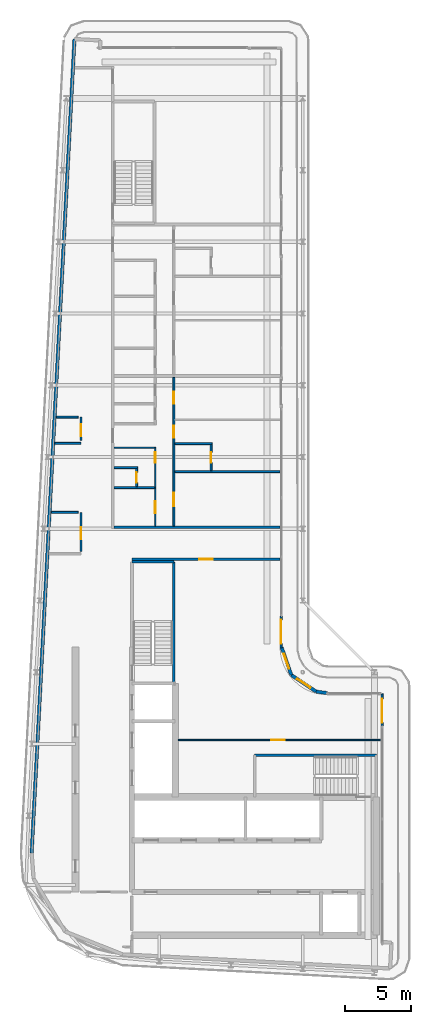
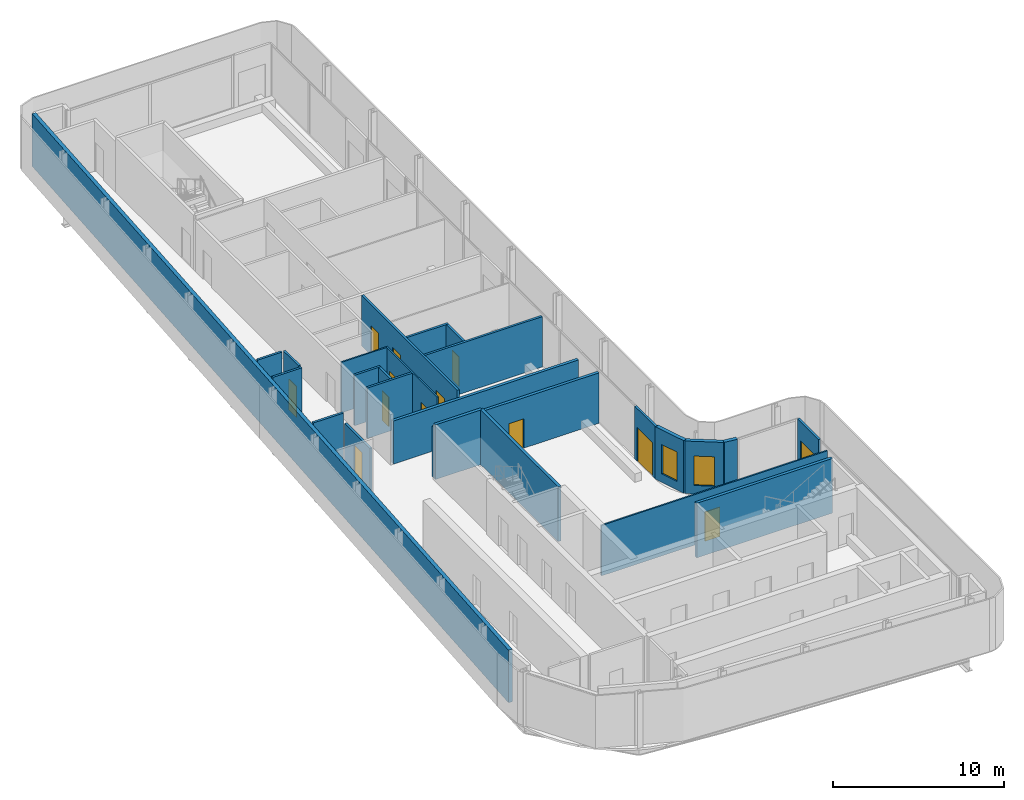
# One storey, part 10 of 19: 26 walls, 13 doors, 2 windows, 15 openings.
"""IFC4 building model written with IfcOpenShell, lengths in metres."""

from ifc_helpers import new_model, si_unit, direction, frame, frame_2d, origin, place, context, subcontext, project, spatial, rectangle, extrude, source, transform, mapped, material, layer, layer_set, type_object, element, fill, save


model = new_model("IFC4")

# Units and contexts
model_context = context("Model", 3, precision=1e-05, world=origin(), true_north=direction((0.0, 1.0)))
body_context = subcontext(model_context, "Body", "Model", "MODEL_VIEW")
ifc_project = project(units=[si_unit("LENGTHUNIT", "METRE"), si_unit("AREAUNIT", "SQUARE_METRE"), si_unit("VOLUMEUNIT", "CUBIC_METRE"), si_unit("PLANEANGLEUNIT", "RADIAN"), si_unit("MASSUNIT", "GRAM", prefix="KILO")], contexts=[model_context])

# Site, building, storey
site_placement = place(None, origin())
site = spatial("IfcSite", under=ifc_project, at=site_placement, CompositionType="ELEMENT")
building_placement = place(site_placement, origin())
building = spatial("IfcBuilding", under=site, at=building_placement, Name="Kheshtan School and Residences Tower", CompositionType="ELEMENT")
storey_placement = place(building_placement, frame((0.0, 0.0, 350.0)))
storey = spatial("IfcBuildingStorey", under=building, at=storey_placement, Name="L82", CompositionType="ELEMENT", Elevation=350.0)

# Wall
ifc_material_1 = material(Name="Gypsum board on steel studs with fire boards", Category="steel")
ifc_layer_1 = layer(ifc_material_1, 0.199951171875)
ifc_layer_set_1 = layer_set([ifc_layer_1], Name="Corridor wall 200")
wall_type_1 = type_object("IfcWallType", Name="Corridor wall 200", PredefinedType="PARTITIONING", material=ifc_layer_set_1)
wall_1_placement = place(storey_placement, frame((33.39990234375, 56.5, 0.0), z_axis=(0.0, 0.0, 1.0), x_axis=(1.0, 0.0, 0.0)))
element("IfcWall", 1, at=wall_1_placement, inside=storey, type_object=wall_type_1, Name="Partition L82-005", PredefinedType="PARTITIONING", context=body_context, shape_type="SweptSolid", body=[
    extrude(rectangle(XDim=12.5, YDim=0.199951171875, at=frame_2d((6.25, 0.0))), origin(), (0.0, 0.0, 1.0), 3.072021484375),
])

# Wall, opening, door
wall_2_placement = place(storey_placement, frame((34.75, 54.10009765625, 0.0), z_axis=(0.0, 0.0, 1.0), x_axis=(1.0, 0.0, 0.0)))
wall_2 = element("IfcWall", 2, at=wall_2_placement, inside=storey, type_object=wall_type_1, Name="Partition L82-017", PredefinedType="PARTITIONING", context=body_context, shape_type="SweptSolid", body=[
    extrude(rectangle(XDim=11.14990234375, YDim=0.199951171875, at=frame_2d((5.574951171875, 0.0))), origin(), (0.0, 0.0, 1.0), 3.60009765625),
])
opening_1_placement = place(wall_2_placement, frame((5.074951171875, 0.0, 0.0)))
opening_1 = element("IfcOpeningElement", 3, at=opening_1_placement, cuts=wall_2, Name="Opening D81-503", PredefinedType="OPENING", context=body_context, shape_type="SweptSolid", body=[
    extrude(rectangle(XDim=1.0, YDim=2.10009765625, at=frame_2d((0.5, 1.050048828125))), frame((0.0, 0.10986328125, 0.0), z_axis=(0.0, -1.0, 0.0), x_axis=(1.0, 0.0, 0.0)), (0.0, 0.0, 1.0), 0.219970703125),
])
ifc_material_2 = material(Name="Steel-framed fire-resisting door leaf", Category="steel")
door_type_1 = type_object("IfcDoorType", Name="Fire door FD60 1000 x 2100", OperationType="SINGLE_SWING_LEFT", PredefinedType="DOOR", material=ifc_material_2)
shared_shape_1 = source(origin(), body_context, "Body", "SweptSolid", [
    extrude(rectangle(XDim=1.0, YDim=2.10009765625, at=frame_2d((0.5, 1.050048828125))), frame((0.0, 0.02490234375, 0.0), z_axis=(0.0, -1.0, 0.0), x_axis=(1.0, 0.0, 0.0)), (0.0, 0.0, 1.0), 0.050048828125),
])
door_1_placement = place(opening_1_placement, origin())
door_1 = element("IfcDoor", 4, at=door_1_placement, inside=storey, type_object=door_type_1, Name="Door D81-503", OperationType="SINGLE_SWING_RIGHT", OverallHeight=2.10009765625, OverallWidth=1.0, PredefinedType="DOOR", context=body_context, shape_type="MappedRepresentation", body=[
    mapped(shared_shape_1, transform((0.0, 0.0, 0.0), x_axis=(1.0, 0.0, 0.0), y_axis=(0.0, 1.0, 0.0), z_axis=(0.0, 0.0, 1.0), scale=1.0)),
])
fill(opening_1, door_1)

# Wall, opening, window
ifc_material_3 = material(Name="Concrete C40/50 with ceramic cladding and mineral wool insulation", Category="concrete")
ifc_layer_2 = layer(ifc_material_3, 0.25)
ifc_layer_set_2 = layer_set([ifc_layer_2], Name="External wall 250 ceramic clad")
wall_type_2 = type_object("IfcWallType", Name="External wall 250 ceramic clad", PredefinedType="SOLIDWALL", material=ifc_layer_set_2)
wall_3_placement = place(storey_placement, frame((46.01806640625, 47.470947265625, 0.0), z_axis=(0.0, 0.0, 1.0), x_axis=(0.328791208903, -0.944402637093, 0.0)))
wall_3 = element("IfcWall", 5, at=wall_3_placement, inside=storey, type_object=wall_type_2, Name="External wall L82 5", PredefinedType="SOLIDWALL", context=body_context, shape_type="SweptSolid", body=[
    extrude(rectangle(XDim=2.20458984375, YDim=0.25, at=frame_2d((1.102294921875, 0.0))), origin(), (0.0, 0.0, 1.0), 3.75),
])
opening_2_placement = place(wall_3_placement, frame((0.5029296875, 0.0, 0.60009765625)))
opening_2 = element("IfcOpeningElement", 6, at=opening_2_placement, cuts=wall_3, Name="Opening WN-E", PredefinedType="OPENING", context=body_context, shape_type="SweptSolid", body=[
    extrude(rectangle(XDim=1.199951171875, YDim=2.10009765625, at=frame_2d((0.60009765625, 1.050048828125))), frame((0.0, 0.135009765625, 0.0), z_axis=(0.0, -1.0, 0.0), x_axis=(1.0, 0.0, 0.0)), (0.0, 0.0, 1.0), 0.27001953125),
])
ifc_material_4 = material(Name="Clear low-e glass in thermally broken aluminium frame", Category="aluminium")
window_type = type_object("IfcWindowType", Name="Window WN-E", PartitioningType="SINGLE_PANEL", PredefinedType="WINDOW", material=ifc_material_4)
shared_shape_2 = source(origin(), body_context, "Body", "SweptSolid", [
    extrude(rectangle(XDim=1.199951171875, YDim=2.10009765625, at=frame_2d((0.60009765625, 1.050048828125))), frame((0.0, 0.030029296875, 0.0), z_axis=(0.0, -1.0, 0.0), x_axis=(1.0, 0.0, 0.0)), (0.0, 0.0, 1.0), 0.06005859375),
])
window_1_placement = place(opening_2_placement, origin())
window_1 = element("IfcWindow", 7, at=window_1_placement, inside=storey, type_object=window_type, Name="Window L82 5", OverallHeight=2.10009765625, OverallWidth=1.199951171875, PartitioningType="SINGLE_PANEL", PredefinedType="WINDOW", context=body_context, shape_type="MappedRepresentation", body=[
    mapped(shared_shape_2, transform((0.0, 0.0, 0.0), x_axis=(1.0, 0.0, 0.0), y_axis=(0.0, 1.0, 0.0), z_axis=(0.0, 0.0, 1.0), scale=1.0)),
])
fill(opening_2, window_1)

wall_4_placement = place(storey_placement, frame((46.742919921875, 45.388916015625, 0.0), z_axis=(0.0, 0.0, 1.0), x_axis=(0.831449265529, -0.555600682912, 0.0)))
wall_4 = element("IfcWall", 8, at=wall_4_placement, inside=storey, type_object=wall_type_2, Name="External wall L82 6", PredefinedType="SOLIDWALL", context=body_context, shape_type="SweptSolid", body=[
    extrude(rectangle(XDim=2.25146484375, YDim=0.25, at=frame_2d((1.125732421875, 0.0))), origin(), (0.0, 0.0, 1.0), 3.75),
])
opening_3_placement = place(wall_4_placement, frame((0.52490234375, 0.0, 0.60009765625)))
opening_3 = element("IfcOpeningElement", 9, at=opening_3_placement, cuts=wall_4, Name="Opening WN-E", PredefinedType="OPENING", context=body_context, shape_type="SweptSolid", body=[
    extrude(rectangle(XDim=1.199951171875, YDim=2.10009765625, at=frame_2d((0.60009765625, 1.050048828125))), frame((0.0, 0.135009765625, 0.0), z_axis=(0.0, -1.0, 0.0), x_axis=(1.0, 0.0, 0.0)), (0.0, 0.0, 1.0), 0.27001953125),
])
window_2_placement = place(opening_3_placement, origin())
window_2 = element("IfcWindow", 10, at=window_2_placement, inside=storey, type_object=window_type, Name="Window L82 6", OverallHeight=2.10009765625, OverallWidth=1.199951171875, PartitioningType="SINGLE_PANEL", PredefinedType="WINDOW", context=body_context, shape_type="MappedRepresentation", body=[
    mapped(shared_shape_2, transform((0.0, 0.0, 0.0), x_axis=(1.0, 0.0, 0.0), y_axis=(0.0, 1.0, 0.0), z_axis=(0.0, 0.0, 1.0), scale=1.0)),
])
fill(opening_3, window_2)

# Walls
wall_5_placement = place(storey_placement, frame((48.614990234375, 44.137939453125, 0.0), z_axis=(0.0, 0.0, 1.0), x_axis=(0.990741504246, -0.135761819977, 0.0)))
element("IfcWall", 11, at=wall_5_placement, inside=storey, type_object=wall_type_2, Name="External wall L82 7", PredefinedType="SOLIDWALL", context=body_context, shape_type="SweptSolid", body=[
    extrude(rectangle(XDim=0.83984375, YDim=0.25, at=frame_2d((0.419921875, 0.0))), origin(), (0.0, 0.0, 1.0), 3.75),
])
wall_6_placement = place(storey_placement, frame((27.195068359375, 31.968994140625, 0.0), z_axis=(0.0, 0.0, 1.0), x_axis=(0.052555284099, 0.998618016117, 0.0)))
element("IfcWall", 12, at=wall_6_placement, inside=storey, type_object=wall_type_2, Name="External wall L82 16", PredefinedType="SOLIDWALL", context=body_context, shape_type="SweptSolid", body=[
    extrude(rectangle(XDim=61.379638671875, YDim=0.25, at=frame_2d((30.68994140625, 0.0))), origin(), (0.0, 0.0, 1.0), 3.75),
])

# Wall, opening, door
ifc_material_5 = material(Name="Aluminium frame wall with insulated infill", Category="aluminium")
ifc_layer_3 = layer(ifc_material_5, 0.14990234375)
ifc_layer_set_3 = layer_set([ifc_layer_3], Name="Glazing frame wall 150")
wall_type_3 = type_object("IfcWallType", Name="Glazing frame wall 150", PredefinedType="SOLIDWALL", material=ifc_layer_set_3)
wall_7_placement = place(storey_placement, frame((45.97509765625, 49.830078125, 0.0), z_axis=(0.0, 0.0, 1.0), x_axis=(0.0, -1.0, 0.0)))
wall_7 = element("IfcWall", 13, at=wall_7_placement, inside=storey, type_object=wall_type_3, Name="Balcony door wall L82 4.4", PredefinedType="SOLIDWALL", context=body_context, shape_type="SweptSolid", body=[
    extrude(rectangle(XDim=2.400146484375, YDim=0.14990234375, at=frame_2d((1.2001953125, 0.0))), origin(), (0.0, 0.0, 1.0), 3.75),
])
opening_4_placement = place(wall_7_placement, frame((0.300048828125, 0.0, 0.0)))
opening_4 = element("IfcOpeningElement", 14, at=opening_4_placement, cuts=wall_7, Name="Opening BD", PredefinedType="OPENING", context=body_context, shape_type="SweptSolid", body=[
    extrude(rectangle(XDim=1.800048828125, YDim=2.39990234375, at=frame_2d((0.89990234375, 1.199951171875))), frame((0.0, 0.0849609375, 0.0), z_axis=(0.0, -1.0, 0.0), x_axis=(1.0, 0.0, 0.0)), (0.0, 0.0, 1.0), 0.169921875),
])
door_type_2 = type_object("IfcDoorType", Name="Balcony sliding door", OperationType="SLIDING_TO_LEFT", PredefinedType="DOOR", material=ifc_material_4)
shared_shape_3 = source(origin(), body_context, "Body", "SweptSolid", [
    extrude(rectangle(XDim=1.800048828125, YDim=2.39990234375, at=frame_2d((0.89990234375, 1.199951171875))), frame((0.0, 0.02490234375, 0.0), z_axis=(0.0, -1.0, 0.0), x_axis=(1.0, 0.0, 0.0)), (0.0, 0.0, 1.0), 0.050048828125),
])
door_2_placement = place(opening_4_placement, origin())
door_2 = element("IfcDoor", 15, at=door_2_placement, inside=storey, type_object=door_type_2, Name="Balcony door L82 4.4", OperationType="SLIDING_TO_LEFT", OverallHeight=2.39990234375, OverallWidth=1.800048828125, PredefinedType="DOOR", context=body_context, shape_type="MappedRepresentation", body=[
    mapped(shared_shape_3, transform((0.0, 0.0, 0.0), x_axis=(1.0, 0.0, 0.0), y_axis=(0.0, 1.0, 0.0), z_axis=(0.0, 0.0, 1.0), scale=1.0)),
])
fill(opening_4, door_2)

wall_8_placement = place(storey_placement, frame((53.574951171875, 43.970947265625, 0.0), z_axis=(0.0, 0.0, 1.0), x_axis=(0.0, -1.0, 0.0)))
wall_8 = element("IfcWall", 16, at=wall_8_placement, inside=storey, type_object=wall_type_3, Name="Balcony door wall L82 9.1", PredefinedType="SOLIDWALL", context=body_context, shape_type="SweptSolid", body=[
    extrude(rectangle(XDim=2.470947265625, YDim=0.14990234375, at=frame_2d((1.2353515625, 0.0))), origin(), (0.0, 0.0, 1.0), 3.75),
])
opening_5_placement = place(wall_8_placement, frame((0.37109375, 0.0, 0.0)))
opening_5 = element("IfcOpeningElement", 17, at=opening_5_placement, cuts=wall_8, Name="Opening BD", PredefinedType="OPENING", context=body_context, shape_type="SweptSolid", body=[
    extrude(rectangle(XDim=1.800048828125, YDim=2.39990234375, at=frame_2d((0.89990234375, 1.199951171875))), frame((0.0, 0.0849609375, 0.0), z_axis=(0.0, -1.0, 0.0), x_axis=(1.0, 0.0, 0.0)), (0.0, 0.0, 1.0), 0.169921875),
])
door_3_placement = place(opening_5_placement, origin())
door_3 = element("IfcDoor", 18, at=door_3_placement, inside=storey, type_object=door_type_2, Name="Balcony door L82 9.1", OperationType="SLIDING_TO_LEFT", OverallHeight=2.39990234375, OverallWidth=1.800048828125, PredefinedType="DOOR", context=body_context, shape_type="MappedRepresentation", body=[
    mapped(shared_shape_3, transform((0.0, 0.0, 0.0), x_axis=(1.0, 0.0, 0.0), y_axis=(0.0, 1.0, 0.0), z_axis=(0.0, 0.0, 1.0), scale=1.0)),
])
fill(opening_5, door_3)

# Wall
ifc_material_6 = material(Name="Gypsum board on steel studs", Category="steel")
ifc_layer_4 = layer(ifc_material_6, 0.10009765625)
ifc_layer_set_4 = layer_set([ifc_layer_4], Name="Gypsum partition 100")
wall_type_4 = type_object("IfcWallType", Name="Gypsum partition 100", PredefinedType="PARTITIONING", material=ifc_layer_set_4)
wall_9_placement = place(storey_placement, frame((33.39990234375, 62.5, 0.0), z_axis=(0.0, 0.0, 1.0), x_axis=(1.0, 0.0, 0.0)))
element("IfcWall", 19, at=wall_9_placement, inside=storey, type_object=wall_type_4, Name="Partition L82-008", PredefinedType="PARTITIONING", context=body_context, shape_type="SweptSolid", body=[
    extrude(rectangle(XDim=3.050048828125, YDim=0.10009765625, at=frame_2d((1.52490234375, 0.0))), origin(), (0.0, 0.0, 1.0), 3.60009765625),
])

# Wall, openings, doors
wall_10_placement = place(storey_placement, frame((36.5, 56.60009765625, 0.0), z_axis=(0.0, 0.0, 1.0), x_axis=(0.0, 1.0, 0.0)))
wall_10 = element("IfcWall", 20, at=wall_10_placement, inside=storey, type_object=wall_type_4, Name="Partition L82-019", PredefinedType="PARTITIONING", context=body_context, shape_type="SweptSolid", body=[
    extrude(rectangle(XDim=5.949951171875, YDim=0.10009765625, at=frame_2d((2.97509765625, 0.0))), origin(), (0.0, 0.0, 1.0), 3.60009765625),
])
opening_6_placement = place(wall_10_placement, frame((0.949951171875, 0.0, 0.0)))
opening_6 = element("IfcOpeningElement", 21, at=opening_6_placement, cuts=wall_10, Name="Opening D81-005", PredefinedType="OPENING", context=body_context, shape_type="SweptSolid", body=[
    extrude(rectangle(XDim=0.89990234375, YDim=2.10009765625, at=frame_2d((0.449951171875, 1.050048828125))), frame((0.0, 0.06005859375, 0.0), z_axis=(0.0, -1.0, 0.0), x_axis=(1.0, 0.0, 0.0)), (0.0, 0.0, 1.0), 0.1201171875),
])
opening_7_placement = place(wall_10_placement, frame((4.75, 0.0, 0.0)))
opening_7 = element("IfcOpeningElement", 22, at=opening_7_placement, cuts=wall_10, Name="Opening D81-007", PredefinedType="OPENING", context=body_context, shape_type="SweptSolid", body=[
    extrude(rectangle(XDim=0.800048828125, YDim=2.10009765625, at=frame_2d((0.39990234375, 1.050048828125))), frame((0.0, 0.06005859375, 0.0), z_axis=(0.0, -1.0, 0.0), x_axis=(1.0, 0.0, 0.0)), (0.0, 0.0, 1.0), 0.1201171875),
])
ifc_material_7 = material(Name="Veneered timber door leaf", Category="wood")
door_type_3 = type_object("IfcDoorType", Name="Door 800 x 2100", OperationType="SINGLE_SWING_LEFT", PredefinedType="DOOR", material=ifc_material_7)
shared_shape_4 = source(origin(), body_context, "Body", "SweptSolid", [
    extrude(rectangle(XDim=0.800048828125, YDim=2.10009765625, at=frame_2d((0.39990234375, 1.050048828125))), frame((0.0, 0.02490234375, 0.0), z_axis=(0.0, -1.0, 0.0), x_axis=(1.0, 0.0, 0.0)), (0.0, 0.0, 1.0), 0.050048828125),
])
door_4_placement = place(opening_7_placement, origin())
door_4 = element("IfcDoor", 23, at=door_4_placement, inside=storey, type_object=door_type_3, Name="Door D81-007", OperationType="SINGLE_SWING_RIGHT", OverallHeight=2.10009765625, OverallWidth=0.800048828125, PredefinedType="DOOR", context=body_context, shape_type="MappedRepresentation", body=[
    mapped(shared_shape_4, transform((0.0, 0.0, 0.0), x_axis=(1.0, 0.0, 0.0), y_axis=(0.0, 1.0, 0.0), z_axis=(0.0, 0.0, 1.0), scale=1.0)),
])
fill(opening_7, door_4)
door_type_4 = type_object("IfcDoorType", Name="Door 900 x 2100", OperationType="SINGLE_SWING_LEFT", PredefinedType="DOOR", material=ifc_material_7)
shared_shape_5 = source(origin(), body_context, "Body", "SweptSolid", [
    extrude(rectangle(XDim=0.89990234375, YDim=2.10009765625, at=frame_2d((0.449951171875, 1.050048828125))), frame((0.0, 0.02490234375, 0.0), z_axis=(0.0, -1.0, 0.0), x_axis=(1.0, 0.0, 0.0)), (0.0, 0.0, 1.0), 0.050048828125),
])
door_5_placement = place(opening_6_placement, origin())
door_5 = element("IfcDoor", 24, at=door_5_placement, inside=storey, type_object=door_type_4, Name="Door D81-005", OperationType="SINGLE_SWING_RIGHT", OverallHeight=2.10009765625, OverallWidth=0.89990234375, PredefinedType="DOOR", context=body_context, shape_type="MappedRepresentation", body=[
    mapped(shared_shape_5, transform((0.0, 0.0, 0.0), x_axis=(1.0, 0.0, 0.0), y_axis=(0.0, 1.0, 0.0), z_axis=(0.0, 0.0, 1.0), scale=1.0)),
])
fill(opening_6, door_5)

# Wall, opening, door
wall_11_placement = place(storey_placement, frame((38.2490234375, 40.5, 0.0), z_axis=(0.0, 0.0, 1.0), x_axis=(1.0, 0.0, 0.0)))
wall_11 = element("IfcWall", 25, at=wall_11_placement, inside=storey, type_object=wall_type_4, Name="Partition L82-030", PredefinedType="PARTITIONING", context=body_context, shape_type="SweptSolid", body=[
    extrude(rectangle(XDim=15.2509765625, YDim=0.10009765625, at=frame_2d((7.62548828125, 0.0))), origin(), (0.0, 0.0, 1.0), 3.60009765625),
])
opening_8_placement = place(wall_11_placement, frame((7.0009765625, 0.0, 0.0)))
opening_8 = element("IfcOpeningElement", 26, at=opening_8_placement, cuts=wall_11, Name="Opening D81-501", PredefinedType="OPENING", context=body_context, shape_type="SweptSolid", body=[
    extrude(rectangle(XDim=1.0, YDim=2.10009765625, at=frame_2d((0.5, 1.050048828125))), frame((0.0, 0.06005859375, 0.0), z_axis=(0.0, -1.0, 0.0), x_axis=(1.0, 0.0, 0.0)), (0.0, 0.0, 1.0), 0.1201171875),
])
door_type_5 = type_object("IfcDoorType", Name="Door 1000 x 2100", OperationType="SINGLE_SWING_LEFT", PredefinedType="DOOR", material=ifc_material_7)
shared_shape_6 = source(origin(), body_context, "Body", "SweptSolid", [
    extrude(rectangle(XDim=1.0, YDim=2.10009765625, at=frame_2d((0.5, 1.050048828125))), frame((0.0, 0.02490234375, 0.0), z_axis=(0.0, -1.0, 0.0), x_axis=(1.0, 0.0, 0.0)), (0.0, 0.0, 1.0), 0.050048828125),
])
door_6_placement = place(opening_8_placement, origin())
door_6 = element("IfcDoor", 27, at=door_6_placement, inside=storey, type_object=door_type_5, Name="Door D81-501", OperationType="SINGLE_SWING_LEFT", OverallHeight=2.10009765625, OverallWidth=1.0, PredefinedType="DOOR", context=body_context, shape_type="MappedRepresentation", body=[
    mapped(shared_shape_6, transform((0.0, 0.0, 0.0), x_axis=(1.0, 0.0, 0.0), y_axis=(0.0, 1.0, 0.0), z_axis=(0.0, 0.0, 1.0), scale=1.0)),
])
fill(opening_8, door_6)

ifc_material_8 = material(Name="Fire-board shaft wall system")
ifc_layer_5 = layer(ifc_material_8, 0.14990234375)
ifc_layer_set_5 = layer_set([ifc_layer_5], Name="Service room wall 150")
wall_type_5 = type_object("IfcWallType", Name="Service room wall 150", PredefinedType="PARTITIONING", material=ifc_layer_set_5)
wall_12_placement = place(storey_placement, frame((30.89990234375, 54.695068359375, 0.0), z_axis=(0.0, 0.0, 1.0), x_axis=(0.0, 1.0, 0.0)))
wall_12 = element("IfcWall", 28, at=wall_12_placement, inside=storey, type_object=wall_type_5, Name="Service room wall", PredefinedType="PARTITIONING", context=body_context, shape_type="SweptSolid", body=[
    extrude(rectangle(XDim=2.930908203125, YDim=0.14990234375, at=frame_2d((1.46533203125, 0.0))), origin(), (0.0, 0.0, 1.0), 3.072021484375),
])
opening_9_placement = place(wall_12_placement, frame((0.91796875, 0.0, 0.0)))
opening_9 = element("IfcOpeningElement", 29, at=opening_9_placement, cuts=wall_12, Name="Opening SR90", PredefinedType="OPENING", context=body_context, shape_type="SweptSolid", body=[
    extrude(rectangle(XDim=0.89990234375, YDim=2.199951171875, at=frame_2d((0.449951171875, 1.10009765625))), frame((0.0, 0.0849609375, 0.0), z_axis=(0.0, -1.0, 0.0), x_axis=(1.0, 0.0, 0.0)), (0.0, 0.0, 1.0), 0.169921875),
])
ifc_material_9 = material(Name="Steel door leaf, galvanised", Category="steel")
door_type_6 = type_object("IfcDoorType", Name="Service room door 900 steel 90 min", OperationType="SINGLE_SWING_LEFT", PredefinedType="DOOR", material=ifc_material_9)
shared_shape_7 = source(origin(), body_context, "Body", "SweptSolid", [
    extrude(rectangle(XDim=0.89990234375, YDim=2.199951171875, at=frame_2d((0.449951171875, 1.10009765625))), frame((0.0, 0.02490234375, 0.0), z_axis=(0.0, -1.0, 0.0), x_axis=(1.0, 0.0, 0.0)), (0.0, 0.0, 1.0), 0.050048828125),
])
door_7_placement = place(opening_9_placement, origin())
door_7 = element("IfcDoor", 30, at=door_7_placement, inside=storey, type_object=door_type_6, Name="Service room door", OperationType="SINGLE_SWING_LEFT", OverallHeight=2.199951171875, OverallWidth=0.89990234375, PredefinedType="DOOR", context=body_context, shape_type="MappedRepresentation", body=[
    mapped(shared_shape_7, transform((0.0, 0.0, 0.0), x_axis=(1.0, 0.0, 0.0), y_axis=(0.0, 1.0, 0.0), z_axis=(0.0, 0.0, 1.0), scale=1.0)),
])
fill(opening_9, door_7)

# Walls
wall_13_placement = place(storey_placement, frame((28.673095703125, 57.6259765625, 0.0), z_axis=(0.0, 0.0, 1.0), x_axis=(1.0, 0.0, 0.0)))
element("IfcWall", 31, at=wall_13_placement, inside=storey, type_object=wall_type_5, Name="Service room wall", PredefinedType="PARTITIONING", context=body_context, shape_type="SweptSolid", body=[
    extrude(rectangle(XDim=2.031982421875, YDim=0.14990234375, at=frame_2d((1.01611328125, 0.0))), origin(), (0.0, 0.0, 1.0), 3.89990234375),
])
wall_14_placement = place(storey_placement, frame((28.947021484375, 62.8330078125, 0.0), z_axis=(0.0, 0.0, 1.0), x_axis=(1.0, 0.0, 0.0)))
element("IfcWall", 32, at=wall_14_placement, inside=storey, type_object=wall_type_5, Name="Service room wall", PredefinedType="PARTITIONING", context=body_context, shape_type="SweptSolid", body=[
    extrude(rectangle(XDim=1.952880859375, YDim=0.14990234375, at=frame_2d((0.9765625, 0.0))), origin(), (0.0, 0.0, 1.0), 3.89990234375),
])

# Wall, opening, door
wall_15_placement = place(storey_placement, frame((30.89990234375, 63.028076171875, 0.0), z_axis=(0.0, 0.0, 1.0), x_axis=(0.0, 1.0, 0.0)))
wall_15 = element("IfcWall", 33, at=wall_15_placement, inside=storey, type_object=wall_type_5, Name="Service room wall", PredefinedType="PARTITIONING", context=body_context, shape_type="SweptSolid", body=[
    extrude(rectangle(XDim=1.77197265625, YDim=0.14990234375, at=frame_2d((0.885986328125, 0.0))), origin(), (0.0, 0.0, 1.0), 3.89990234375),
])
opening_10_placement = place(wall_15_placement, frame((0.337890625, 0.0, 0.0)))
opening_10 = element("IfcOpeningElement", 34, at=opening_10_placement, cuts=wall_15, Name="Opening SR90", PredefinedType="OPENING", context=body_context, shape_type="SweptSolid", body=[
    extrude(rectangle(XDim=0.89990234375, YDim=2.199951171875, at=frame_2d((0.449951171875, 1.10009765625))), frame((0.0, 0.0849609375, 0.0), z_axis=(0.0, -1.0, 0.0), x_axis=(1.0, 0.0, 0.0)), (0.0, 0.0, 1.0), 0.169921875),
])
door_8_placement = place(opening_10_placement, origin())
door_8 = element("IfcDoor", 35, at=door_8_placement, inside=storey, type_object=door_type_6, Name="Service room door", OperationType="SINGLE_SWING_LEFT", OverallHeight=2.199951171875, OverallWidth=0.89990234375, PredefinedType="DOOR", context=body_context, shape_type="MappedRepresentation", body=[
    mapped(shared_shape_7, transform((0.0, 0.0, 0.0), x_axis=(1.0, 0.0, 0.0), y_axis=(0.0, 1.0, 0.0), z_axis=(0.0, 0.0, 1.0), scale=1.0)),
])
fill(opening_10, door_8)

# Walls
wall_16_placement = place(storey_placement, frame((29.051025390625, 64.800048828125, 0.0), z_axis=(0.0, 0.0, 1.0), x_axis=(1.0, 0.0, 0.0)))
element("IfcWall", 36, at=wall_16_placement, inside=storey, type_object=wall_type_5, Name="Service room wall", PredefinedType="PARTITIONING", context=body_context, shape_type="SweptSolid", body=[
    extrude(rectangle(XDim=1.654052734375, YDim=0.14990234375, at=frame_2d((0.8271484375, 0.0))), origin(), (0.0, 0.0, 1.0), 3.89990234375),
])
ifc_material_10 = material(Name="Concrete C40/50", Category="concrete")
ifc_layer_6 = layer(ifc_material_10, 0.199951171875)
ifc_layer_set_6 = layer_set([ifc_layer_6], Name="Stair enclosure wall 200 Concrete C40/50")
wall_type_6 = type_object("IfcWallType", Name="Stair enclosure wall 200 Concrete C40/50", PredefinedType="SHEAR", material=ifc_layer_set_6)
wall_17_placement = place(storey_placement, frame((43.989990234375, 39.35009765625, 0.0), z_axis=(0.0, 0.0, 1.0), x_axis=(1.0, 0.0, 0.0)))
element("IfcWall", 37, at=wall_17_placement, inside=storey, type_object=wall_type_6, Name="Stair enclosure wall ST1", PredefinedType="SHEAR", context=body_context, shape_type="SweptSolid", body=[
    extrude(rectangle(XDim=9.159912109375, YDim=0.199951171875, at=frame_2d((4.580078125, 0.0))), origin(), (0.0, 0.0, 1.0), 3.89990234375),
])
wall_18_placement = place(storey_placement, frame((34.75, 53.909912109375, 0.0), z_axis=(0.0, 0.0, 1.0), x_axis=(1.0, 0.0, 0.0)))
element("IfcWall", 38, at=wall_18_placement, inside=storey, type_object=wall_type_6, Name="Stair enclosure wall ST2", PredefinedType="SHEAR", context=body_context, shape_type="SweptSolid", body=[
    extrude(rectangle(XDim=3.14990234375, YDim=0.199951171875, at=frame_2d((1.574951171875, 0.0))), origin(), (0.0, 0.0, 1.0), 3.89990234375),
])
wall_19_placement = place(storey_placement, frame((37.89990234375, 44.75, 0.0), z_axis=(0.0, 0.0, 1.0), x_axis=(0.0, 1.0, 0.0)))
element("IfcWall", 39, at=wall_19_placement, inside=storey, type_object=wall_type_6, Name="Stair enclosure wall ST2", PredefinedType="SHEAR", context=body_context, shape_type="SweptSolid", body=[
    extrude(rectangle(XDim=9.159912109375, YDim=0.199951171875, at=frame_2d((4.580078125, 0.0))), origin(), (0.0, 0.0, 1.0), 3.89990234375),
])
ifc_material_11 = material(Name="Moisture-resistant gypsum board on steel studs", Category="steel")
ifc_layer_7 = layer(ifc_material_11, 0.14990234375)
ifc_layer_set_7 = layer_set([ifc_layer_7], Name="Wet-room partition 150")
wall_type_7 = type_object("IfcWallType", Name="Wet-room partition 150", PredefinedType="PARTITIONING", material=ifc_layer_set_7)
wall_20_placement = place(storey_placement, frame((33.39990234375, 59.5, 0.0), z_axis=(0.0, 0.0, 1.0), x_axis=(1.0, 0.0, 0.0)))
element("IfcWall", 40, at=wall_20_placement, inside=storey, type_object=wall_type_7, Name="Partition L82-006", PredefinedType="PARTITIONING", context=body_context, shape_type="SweptSolid", body=[
    extrude(rectangle(XDim=3.050048828125, YDim=0.14990234375, at=frame_2d((1.52490234375, 0.0))), origin(), (0.0, 0.0, 1.0), 3.60009765625),
])
wall_21_placement = place(storey_placement, frame((33.39990234375, 61.0, 0.0), z_axis=(0.0, 0.0, 1.0), x_axis=(1.0, 0.0, 0.0)))
element("IfcWall", 41, at=wall_21_placement, inside=storey, type_object=wall_type_7, Name="Partition L82-007", PredefinedType="PARTITIONING", context=body_context, shape_type="SweptSolid", body=[
    extrude(rectangle(XDim=1.775146484375, YDim=0.14990234375, at=frame_2d((0.8876953125, 0.0))), origin(), (0.0, 0.0, 1.0), 3.60009765625),
])

# Wall, opening, door
wall_22_placement = place(storey_placement, frame((35.10009765625, 59.574951171875, 0.0), z_axis=(0.0, 0.0, 1.0), x_axis=(0.0, 1.0, 0.0)))
wall_22 = element("IfcWall", 42, at=wall_22_placement, inside=storey, type_object=wall_type_7, Name="Partition L82-018", PredefinedType="PARTITIONING", context=body_context, shape_type="SweptSolid", body=[
    extrude(rectangle(XDim=1.35009765625, YDim=0.14990234375, at=frame_2d((0.675048828125, 0.0))), origin(), (0.0, 0.0, 1.0), 3.60009765625),
])
opening_11_placement = place(wall_22_placement, frame((0.27490234375, 0.0, 0.0)))
opening_11 = element("IfcOpeningElement", 43, at=opening_11_placement, cuts=wall_22, Name="Opening D81-008", PredefinedType="OPENING", context=body_context, shape_type="SweptSolid", body=[
    extrude(rectangle(XDim=0.800048828125, YDim=2.10009765625, at=frame_2d((0.39990234375, 1.050048828125))), frame((0.0, 0.0849609375, 0.0), z_axis=(0.0, -1.0, 0.0), x_axis=(1.0, 0.0, 0.0)), (0.0, 0.0, 1.0), 0.169921875),
])
door_9_placement = place(opening_11_placement, origin())
door_9 = element("IfcDoor", 44, at=door_9_placement, inside=storey, type_object=door_type_3, Name="Door D81-008", OperationType="SINGLE_SWING_LEFT", OverallHeight=2.10009765625, OverallWidth=0.800048828125, PredefinedType="DOOR", context=body_context, shape_type="MappedRepresentation", body=[
    mapped(shared_shape_4, transform((0.0, 0.0, 0.0), x_axis=(1.0, 0.0, 0.0), y_axis=(0.0, 1.0, 0.0), z_axis=(0.0, 0.0, 1.0), scale=1.0)),
])
fill(opening_11, door_9)

# Wall, openings, doors
wall_23_placement = place(storey_placement, frame((37.89990234375, 56.60009765625, 0.0), z_axis=(0.0, 0.0, 1.0), x_axis=(0.0, 1.0, 0.0)))
wall_23 = element("IfcWall", 45, at=wall_23_placement, inside=storey, type_object=wall_type_7, Name="Partition L82-022", PredefinedType="PARTITIONING", context=body_context, shape_type="SweptSolid", body=[
    extrude(rectangle(XDim=11.199951171875, YDim=0.14990234375, at=frame_2d((5.60009765625, 0.0))), origin(), (0.0, 0.0, 1.0), 3.60009765625),
])
opening_12_placement = place(wall_23_placement, frame((9.199951171875, 0.0, 0.0)))
opening_12 = element("IfcOpeningElement", 46, at=opening_12_placement, cuts=wall_23, Name="Opening D81-002", PredefinedType="OPENING", context=body_context, shape_type="SweptSolid", body=[
    extrude(rectangle(XDim=0.89990234375, YDim=2.10009765625, at=frame_2d((0.449951171875, 1.050048828125))), frame((0.0, 0.0849609375, 0.0), z_axis=(0.0, -1.0, 0.0), x_axis=(1.0, 0.0, 0.0)), (0.0, 0.0, 1.0), 0.169921875),
])
opening_13_placement = place(wall_23_placement, frame((1.5, 0.0, 0.0)))
opening_13 = element("IfcOpeningElement", 47, at=opening_13_placement, cuts=wall_23, Name="Opening D81-006", PredefinedType="OPENING", context=body_context, shape_type="SweptSolid", body=[
    extrude(rectangle(XDim=1.0, YDim=2.10009765625, at=frame_2d((0.5, 1.050048828125))), frame((0.0, 0.0849609375, 0.0), z_axis=(0.0, -1.0, 0.0), x_axis=(1.0, 0.0, 0.0)), (0.0, 0.0, 1.0), 0.169921875),
])
opening_14_placement = place(wall_23_placement, frame((6.64990234375, 0.0, 0.0)))
opening_14 = element("IfcOpeningElement", 48, at=opening_14_placement, cuts=wall_23, Name="Opening D81-009", PredefinedType="OPENING", context=body_context, shape_type="SweptSolid", body=[
    extrude(rectangle(XDim=0.89990234375, YDim=2.10009765625, at=frame_2d((0.449951171875, 1.050048828125))), frame((0.0, 0.0849609375, 0.0), z_axis=(0.0, -1.0, 0.0), x_axis=(1.0, 0.0, 0.0)), (0.0, 0.0, 1.0), 0.169921875),
])
door_10_placement = place(opening_13_placement, origin())
door_10 = element("IfcDoor", 49, at=door_10_placement, inside=storey, type_object=door_type_5, Name="Door D81-006", OperationType="SINGLE_SWING_LEFT", OverallHeight=2.10009765625, OverallWidth=1.0, PredefinedType="DOOR", context=body_context, shape_type="MappedRepresentation", body=[
    mapped(shared_shape_6, transform((0.0, 0.0, 0.0), x_axis=(1.0, 0.0, 0.0), y_axis=(0.0, 1.0, 0.0), z_axis=(0.0, 0.0, 1.0), scale=1.0)),
])
fill(opening_13, door_10)
door_11_placement = place(opening_12_placement, origin())
door_11 = element("IfcDoor", 50, at=door_11_placement, inside=storey, type_object=door_type_4, Name="Door D81-002", OperationType="SINGLE_SWING_RIGHT", OverallHeight=2.10009765625, OverallWidth=0.89990234375, PredefinedType="DOOR", context=body_context, shape_type="MappedRepresentation", body=[
    mapped(shared_shape_5, transform((0.0, 0.0, 0.0), x_axis=(1.0, 0.0, 0.0), y_axis=(0.0, 1.0, 0.0), z_axis=(0.0, 0.0, 1.0), scale=1.0)),
])
fill(opening_12, door_11)
door_12_placement = place(opening_14_placement, origin())
door_12 = element("IfcDoor", 51, at=door_12_placement, inside=storey, type_object=door_type_4, Name="Door D81-009", OperationType="SINGLE_SWING_RIGHT", OverallHeight=2.10009765625, OverallWidth=0.89990234375, PredefinedType="DOOR", context=body_context, shape_type="MappedRepresentation", body=[
    mapped(shared_shape_5, transform((0.0, 0.0, 0.0), x_axis=(1.0, 0.0, 0.0), y_axis=(0.0, 1.0, 0.0), z_axis=(0.0, 0.0, 1.0), scale=1.0)),
])
fill(opening_14, door_12)

# Walls
wall_24_placement = place(storey_placement, frame((37.97509765625, 60.699951171875, 0.0), z_axis=(0.0, 0.0, 1.0), x_axis=(1.0, 0.0, 0.0)))
element("IfcWall", 52, at=wall_24_placement, inside=storey, type_object=wall_type_7, Name="Partition L82-024", PredefinedType="PARTITIONING", context=body_context, shape_type="SweptSolid", body=[
    extrude(rectangle(XDim=7.9248046875, YDim=0.14990234375, at=frame_2d((3.96240234375, 0.0))), origin(), (0.0, 0.0, 1.0), 3.60009765625),
])
wall_25_placement = place(storey_placement, frame((37.97509765625, 62.800048828125, 0.0), z_axis=(0.0, 0.0, 1.0), x_axis=(1.0, 0.0, 0.0)))
element("IfcWall", 53, at=wall_25_placement, inside=storey, type_object=wall_type_7, Name="Partition L82-025", PredefinedType="PARTITIONING", context=body_context, shape_type="SweptSolid", body=[
    extrude(rectangle(XDim=2.7998046875, YDim=0.14990234375, at=frame_2d((1.39990234375, 0.0))), origin(), (0.0, 0.0, 1.0), 3.60009765625),
])

# Wall, opening, door
wall_26_placement = place(storey_placement, frame((40.699951171875, 60.77490234375, 0.0), z_axis=(0.0, 0.0, 1.0), x_axis=(0.0, 1.0, 0.0)))
wall_26 = element("IfcWall", 54, at=wall_26_placement, inside=storey, type_object=wall_type_7, Name="Partition L82-031", PredefinedType="PARTITIONING", context=body_context, shape_type="SweptSolid", body=[
    extrude(rectangle(XDim=1.9501953125, YDim=0.14990234375, at=frame_2d((0.97509765625, 0.0))), origin(), (0.0, 0.0, 1.0), 3.60009765625),
])
opening_15_placement = place(wall_26_placement, frame((0.574951171875, 0.0, 0.0)))
opening_15 = element("IfcOpeningElement", 55, at=opening_15_placement, cuts=wall_26, Name="Opening D81-003", PredefinedType="OPENING", context=body_context, shape_type="SweptSolid", body=[
    extrude(rectangle(XDim=0.800048828125, YDim=2.10009765625, at=frame_2d((0.39990234375, 1.050048828125))), frame((0.0, 0.0849609375, 0.0), z_axis=(0.0, -1.0, 0.0), x_axis=(1.0, 0.0, 0.0)), (0.0, 0.0, 1.0), 0.169921875),
])
door_13_placement = place(opening_15_placement, origin())
door_13 = element("IfcDoor", 56, at=door_13_placement, inside=storey, type_object=door_type_3, Name="Door D81-003", OperationType="SINGLE_SWING_RIGHT", OverallHeight=2.10009765625, OverallWidth=0.800048828125, PredefinedType="DOOR", context=body_context, shape_type="MappedRepresentation", body=[
    mapped(shared_shape_4, transform((0.0, 0.0, 0.0), x_axis=(1.0, 0.0, 0.0), y_axis=(0.0, 1.0, 0.0), z_axis=(0.0, 0.0, 1.0), scale=1.0)),
])
fill(opening_15, door_13)

save(model, "model.ifc")
